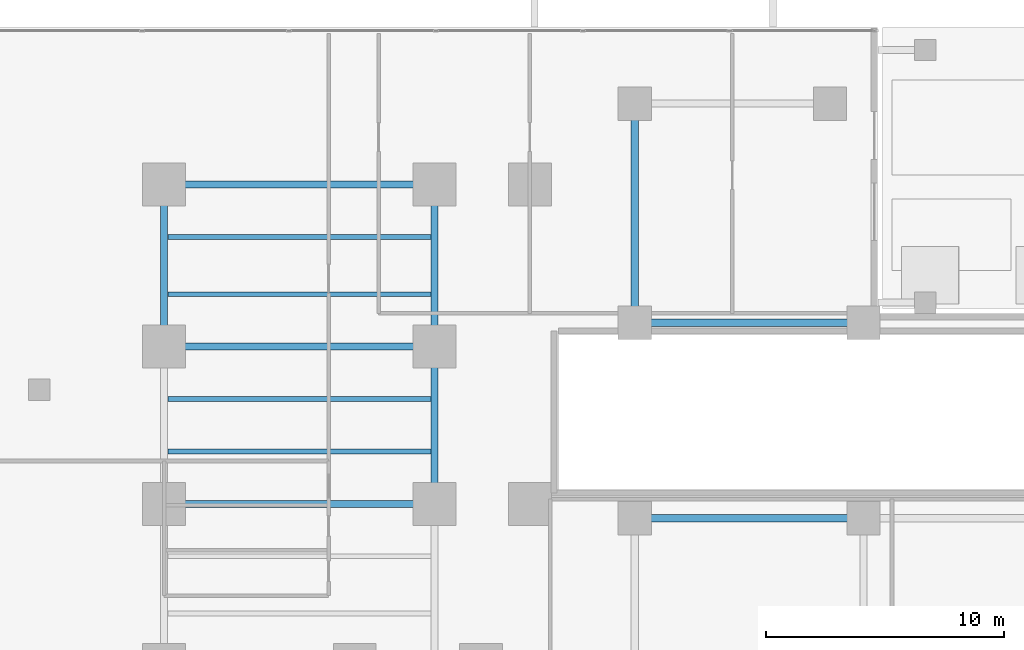
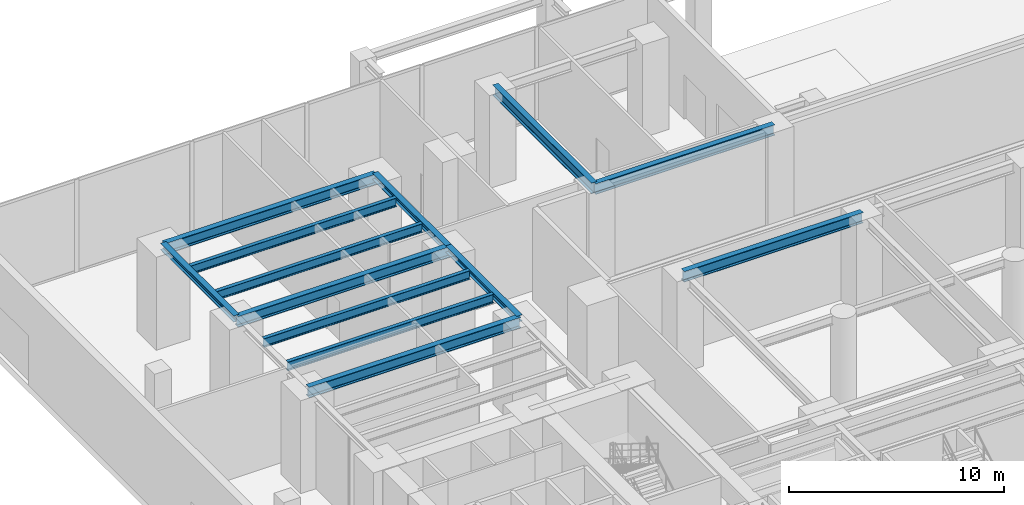
# One storey, part 2 of 17: 13 beams.
"""IFC4 building model written with IfcOpenShell, lengths in metres."""

from ifc_helpers import new_model, si_unit, direction, frame, origin, origin_2d, place, context, subcontext, project, spatial, i_section, extrude, material, material_profile, profile_set, type_object, element, save


model = new_model("IFC4")

# Units and contexts
model_context = context("Model", 3, precision=1e-05, world=origin(), true_north=direction((0.0, 1.0)))
body_context = subcontext(model_context, "Body", "Model", "MODEL_VIEW")
ifc_project = project(units=[si_unit("LENGTHUNIT", "METRE"), si_unit("AREAUNIT", "SQUARE_METRE"), si_unit("VOLUMEUNIT", "CUBIC_METRE"), si_unit("PLANEANGLEUNIT", "RADIAN"), si_unit("MASSUNIT", "GRAM", prefix="KILO")], contexts=[model_context])

# Site, building, storey
site_placement = place(None, origin())
site = spatial("IfcSite", under=ifc_project, at=site_placement, CompositionType="ELEMENT")
building_placement = place(site_placement, origin())
building = spatial("IfcBuilding", under=site, at=building_placement, Name="Kolvaren Waterfront Exchange", CompositionType="ELEMENT")
storey_placement = place(building_placement, origin())
storey = spatial("IfcBuildingStorey", under=building, at=storey_placement, Name="L01", CompositionType="ELEMENT", Elevation=0.0)

# Beams
ifc_material = material(Name="Steel S355", Category="steel")
ifc_material_profile_1 = material_profile(ifc_material, i_section(OverallWidth=0.300048828125, OverallDepth=0.360107421875, WebThickness=0.012451171875, FlangeThickness=0.0224609375, FilletRadius=0.027099609375, at=origin_2d()), Name="HEB360")
ifc_profile_set_1 = profile_set([ifc_material_profile_1], Name="Steel S355")
beam_type_1 = type_object("IfcBeamType", Name="STR-BM-HEB360", PredefinedType="SPANDREL", material=ifc_profile_set_1)
beam_1_placement = place(storey_placement, frame((7.449951171875, 37.800048828125, 5.080078125), z_axis=(0.0, 1.0, 0.0), x_axis=(-1.0, 0.0, 0.0)))
element("IfcBeam", 1, at=beam_1_placement, inside=storey, type_object=beam_type_1, Name="L01 north-arm edge beam 3", PredefinedType="SPANDREL", context=body_context, shape_type="SweptSolid", body=[
    extrude(i_section(OverallWidth=0.300048828125, OverallDepth=0.360107421875, WebThickness=0.012451171875, FlangeThickness=0.0224609375, FilletRadius=0.027099609375, at=origin_2d()), origin(), (0.0, 0.0, 1.0), 6.800048828125),
])
beam_2_placement = place(storey_placement, frame((18.800048828125, 31.199951171875, 5.080078125), z_axis=(0.0, 1.0, 0.0), x_axis=(-1.0, 0.0, 0.0)))
element("IfcBeam", 2, at=beam_2_placement, inside=storey, type_object=beam_type_1, Name="L01 north-arm edge beam 2", PredefinedType="SPANDREL", context=body_context, shape_type="SweptSolid", body=[
    extrude(i_section(OverallWidth=0.300048828125, OverallDepth=0.360107421875, WebThickness=0.012451171875, FlangeThickness=0.0224609375, FilletRadius=0.027099609375, at=origin_2d()), origin(), (0.0, 0.0, 1.0), 6.60009765625),
])
beam_3_placement = place(storey_placement, frame((18.800048828125, 37.800048828125, 5.080078125), z_axis=(0.0, 1.0, 0.0), x_axis=(-1.0, 0.0, 0.0)))
element("IfcBeam", 3, at=beam_3_placement, inside=storey, type_object=beam_type_1, Name="L01 north-arm edge beam 3", PredefinedType="SPANDREL", context=body_context, shape_type="SweptSolid", body=[
    extrude(i_section(OverallWidth=0.300048828125, OverallDepth=0.360107421875, WebThickness=0.012451171875, FlangeThickness=0.0224609375, FilletRadius=0.027099609375, at=origin_2d()), origin(), (0.0, 0.0, 1.0), 6.800048828125),
])
ifc_material_profile_2 = material_profile(ifc_material, i_section(OverallWidth=0.300048828125, OverallDepth=0.60009765625, WebThickness=0.015380859375, FlangeThickness=0.030029296875, FilletRadius=0.027099609375, at=origin_2d()), Name="HEB600")
ifc_profile_set_2 = profile_set([ifc_material_profile_2], Name="Steel S355")
beam_type_2 = type_object("IfcBeamType", Name="STR-BM-HEB600", PredefinedType="BEAM", material=ifc_profile_set_2)
for number, where, z_axis, x_axis, name in (
    (4, (7.449951171875, 31.199951171875, 4.9599609375), (1.0, 0.0, 0.0), (0.0, 1.0, 0.0), "L01 north-arm girder 2"),
    (5, (7.449951171875, 37.800048828125, 4.9599609375), (1.0, 0.0, 0.0), (0.0, 1.0, 0.0), "L01 north-arm girder 3"),
    (6, (7.449951171875, 44.60009765625, 4.9599609375), (1.0, 0.0, 0.0), (0.0, 1.0, 0.0), "L01 north-arm girder 4"),
):
    element("IfcBeam", number, at=place(storey_placement, frame(where, z_axis=z_axis, x_axis=x_axis)), inside=storey, type_object=beam_type_2, Name=name, PredefinedType="BEAM", context=body_context, shape_type="SweptSolid", body=[
        extrude(i_section(OverallWidth=0.300048828125, OverallDepth=0.60009765625, WebThickness=0.015380859375, FlangeThickness=0.030029296875, FilletRadius=0.027099609375, at=origin_2d()), origin(), (0.0, 0.0, 1.0), 11.35009765625),
    ])
for number, where, z_axis, x_axis, name in (
    (7, (27.199951171875, 30.60009765625, 4.9599609375), (1.0, 0.0, 0.0), (0.0, 1.0, 0.0), "L01 podium longitudinal beam 1"),
    (8, (27.199951171875, 38.800048828125, 4.9599609375), (1.0, 0.0, 0.0), (0.0, 1.0, 0.0), "L01 podium north girder 1"),
):
    element("IfcBeam", number, at=place(storey_placement, frame(where, z_axis=z_axis, x_axis=x_axis)), inside=storey, type_object=beam_type_2, Name=name, PredefinedType="BEAM", context=body_context, shape_type="SweptSolid", body=[
        extrude(i_section(OverallWidth=0.300048828125, OverallDepth=0.60009765625, WebThickness=0.015380859375, FlangeThickness=0.030029296875, FilletRadius=0.027099609375, at=origin_2d()), origin(), (0.0, 0.0, 1.0), 9.60009765625),
    ])
beam_4_placement = place(storey_placement, frame((27.199951171875, 38.800048828125, 4.9599609375), z_axis=(0.0, 1.0, 0.0), x_axis=(-1.0, 0.0, 0.0)))
element("IfcBeam", 9, at=beam_4_placement, inside=storey, type_object=beam_type_2, Name="L01 podium west-link girder", PredefinedType="BEAM", context=body_context, shape_type="SweptSolid", body=[
    extrude(i_section(OverallWidth=0.300048828125, OverallDepth=0.60009765625, WebThickness=0.015380859375, FlangeThickness=0.030029296875, FilletRadius=0.027099609375, at=origin_2d()), origin(), (0.0, 0.0, 1.0), 9.199951171875),
])
ifc_material_profile_3 = material_profile(ifc_material, i_section(OverallWidth=0.199951171875, OverallDepth=0.5, WebThickness=0.01025390625, FlangeThickness=0.01611328125, FilletRadius=0.02099609375, at=origin_2d()), Name="IPE500")
ifc_profile_set_3 = profile_set([ifc_material_profile_3], Name="Steel S355")
beam_type_3 = type_object("IfcBeamType", Name="STR-BM-IPE500", PredefinedType="JOIST", material=ifc_profile_set_3)
for number, where, z_axis, x_axis, name in (
    (10, (7.60205078125, 33.39990234375, 5.010009765625), (1.0, 0.0, 0.0), (0.0, 1.0, 0.0), "L01 north-arm composite joist 3"),
    (11, (7.60205078125, 35.60009765625, 5.010009765625), (1.0, 0.0, 0.0), (0.0, 1.0, 0.0), "L01 north-arm composite joist 4"),
    (12, (7.60205078125, 40.0, 5.010009765625), (1.0, 0.0, 0.0), (0.0, 1.0, 0.0), "L01 north-arm composite joist 5"),
    (13, (7.60205078125, 42.39990234375, 5.010009765625), (1.0, 0.0, 0.0), (0.0, 1.0, 0.0), "L01 north-arm composite joist 6"),
):
    element("IfcBeam", number, at=place(storey_placement, frame(where, z_axis=z_axis, x_axis=x_axis)), inside=storey, type_object=beam_type_3, Name=name, PredefinedType="JOIST", context=body_context, shape_type="SweptSolid", body=[
        extrude(i_section(OverallWidth=0.199951171875, OverallDepth=0.5, WebThickness=0.01025390625, FlangeThickness=0.01611328125, FilletRadius=0.02099609375, at=origin_2d()), origin(), (0.0, 0.0, 1.0), 11.0458984375),
    ])

save(model, "model.ifc")
